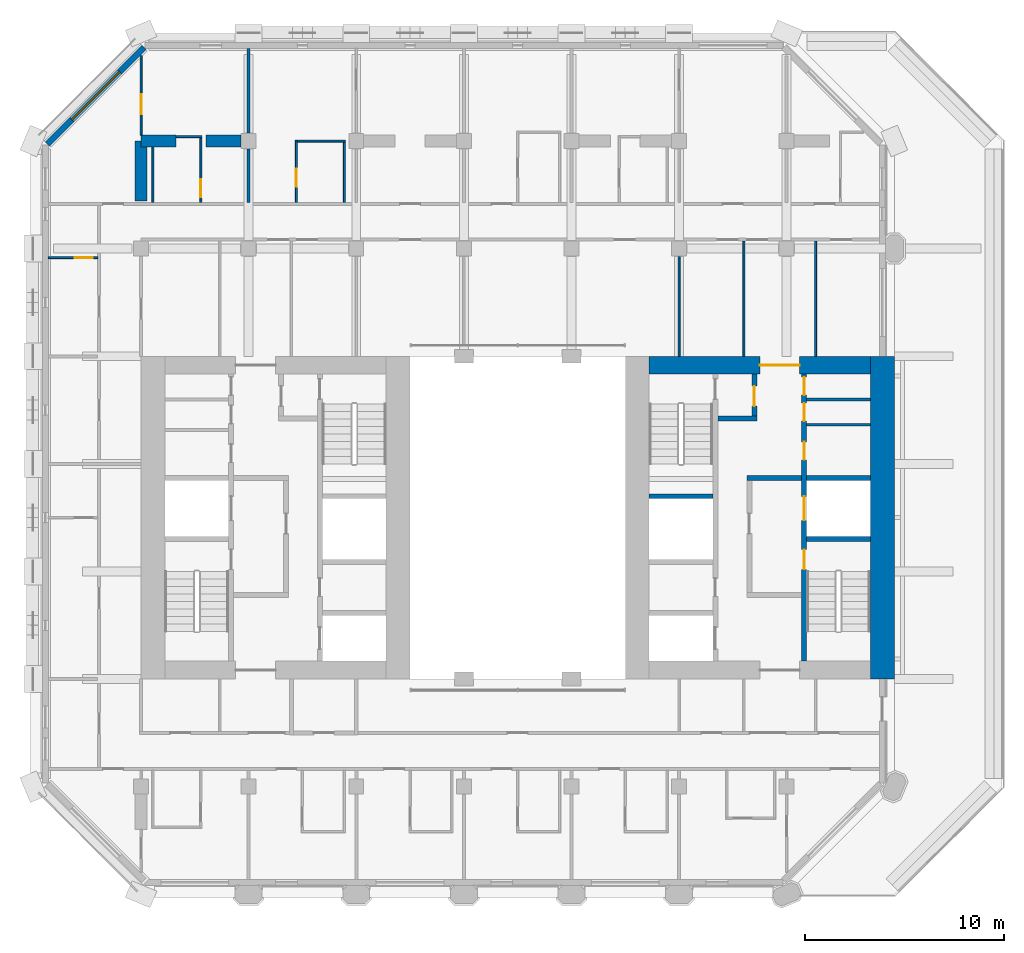
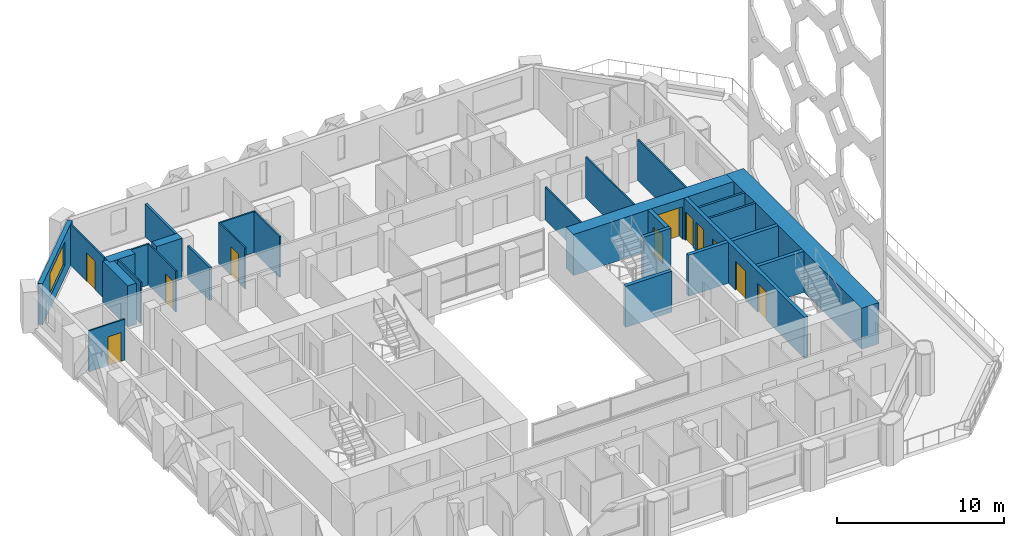
# One storey, part 10 of 15: 28 walls, 11 doors, 1 window, 12 openings.
"""IFC4 building model written with IfcOpenShell, lengths in metres."""

from ifc_helpers import new_model, si_unit, direction, frame, frame_2d, origin, place, context, subcontext, project, spatial, rectangle, extrude, material, layer, layer_set, type_object, element, fill, save


model = new_model("IFC4")

# Units and contexts
model_context = context("Model", 3, precision=1e-05, world=origin(), true_north=direction((0.0, 1.0)))
body_context = subcontext(model_context, "Body", "Model", "MODEL_VIEW")
ifc_project = project(units=[si_unit("LENGTHUNIT", "METRE"), si_unit("AREAUNIT", "SQUARE_METRE"), si_unit("VOLUMEUNIT", "CUBIC_METRE"), si_unit("PLANEANGLEUNIT", "RADIAN"), si_unit("MASSUNIT", "GRAM", prefix="KILO")], contexts=[model_context])

# Site, building, storey
site_placement = place(None, origin())
site = spatial("IfcSite", under=ifc_project, at=site_placement, CompositionType="ELEMENT")
building_placement = place(site_placement, origin())
building = spatial("IfcBuilding", under=site, at=building_placement, Name="Tabaq Tower and Sports Hall", CompositionType="ELEMENT")
storey_placement = place(building_placement, frame((0.0, 0.0, 207.10009765625)))
storey = spatial("IfcBuildingStorey", under=building, at=storey_placement, Name="L51", CompositionType="ELEMENT", Elevation=207.10009765625)

# Walls
ifc_material_1 = material(Name="Blockwork", Category="masonry")
ifc_layer_1 = layer(ifc_material_1, 0.14990234375)
ifc_layer_set_1 = layer_set([ifc_layer_1], Name="Core room partition 150 Blockwork")
wall_type_1 = type_object("IfcWallType", Name="Core room partition 150 Blockwork", PredefinedType="PARTITIONING", material=ifc_layer_set_1)
for number, where, z_axis, x_axis, name in (
    (1, (38.800048828125, 28.962890625, 0.0), (0.0, 0.0, 1.0), (1.0, 0.0, 0.0), "Core room partition E L51"),
    (2, (38.800048828125, 30.23193359375, 0.0), (0.0, 0.0, 1.0), (1.0, 0.0, 0.0), "Core room partition E L51"),
):
    element("IfcWall", number, at=place(storey_placement, frame(where, z_axis=z_axis, x_axis=x_axis)), inside=storey, type_object=wall_type_1, Name=name, PredefinedType="PARTITIONING", context=body_context, shape_type="SweptSolid", body=[
        extrude(rectangle(XDim=3.199951171875, YDim=0.14990234375, at=frame_2d((1.60009765625, 0.0))), origin(), (0.0, 0.0, 1.0), 3.0),
    ])
ifc_material_2 = material(Name="Concrete C50/60", Category="concrete")
ifc_layer_2 = layer(ifc_material_2, 1.199951171875)
ifc_layer_set_2 = layer_set([ifc_layer_2], Name="Core wall 1200 Concrete C50/60")
wall_type_2 = type_object("IfcWallType", Name="Core wall 1200 Concrete C50/60", PredefinedType="SOLIDWALL", material=ifc_layer_set_2)
wall_1_placement = place(storey_placement, frame((42.60009765625, 32.39990234375, 0.0), z_axis=(0.0, 0.0, 1.0), x_axis=(0.0, -1.0, 0.0)))
element("IfcWall", 3, at=wall_1_placement, inside=storey, type_object=wall_type_2, Name="Core wall E L51", PredefinedType="SOLIDWALL", context=body_context, shape_type="SweptSolid", body=[
    extrude(rectangle(XDim=16.199951171875, YDim=1.199951171875, at=frame_2d((8.10009765625, 0.0))), origin(), (0.0, 0.0, 1.0), 3.0),
])

# Wall, opening, door
ifc_material_3 = material(Name="Concrete C50/60", Category="concrete")
ifc_layer_3 = layer(ifc_material_3, 0.89990234375)
ifc_layer_set_3 = layer_set([ifc_layer_3], Name="Core wall 900 Concrete C50/60")
wall_type_3 = type_object("IfcWallType", Name="Core wall 900 Concrete C50/60", PredefinedType="SOLIDWALL", material=ifc_layer_set_3)
wall_2_placement = place(storey_placement, frame((30.89990234375, 31.949951171875, 0.0), z_axis=(0.0, 0.0, 1.0), x_axis=(1.0, 0.0, 0.0)))
wall_2 = element("IfcWall", 4, at=wall_2_placement, inside=storey, type_object=wall_type_3, Name="Core wall E L51", PredefinedType="SOLIDWALL", context=body_context, shape_type="SweptSolid", body=[
    extrude(rectangle(XDim=11.10009765625, YDim=0.89990234375, at=frame_2d((5.550048828125, 0.0))), origin(), (0.0, 0.0, 1.0), 3.0),
])
opening_1_placement = place(wall_2_placement, frame((5.550048828125, 0.0, 0.0)))
opening_1 = element("IfcOpeningElement", 5, at=opening_1_placement, cuts=wall_2, Name="Opening PD-EL51-02", PredefinedType="OPENING", context=body_context, shape_type="SweptSolid", body=[
    extrude(rectangle(XDim=2.0, YDim=2.39990234375, at=frame_2d((1.0, 1.199951171875))), frame((0.0, 0.449951171875, 0.0), z_axis=(0.0, -1.0, 0.0), x_axis=(1.0, 0.0, 0.0)), (0.0, 0.0, 1.0), 0.89990234375),
])
ifc_material_4 = material(Name="Steel fire door", Category="steel")
door_type_1 = type_object("IfcDoorType", Name="Core entrance door 2000", OperationType="DOUBLE_DOOR_SINGLE_SWING", PredefinedType="DOOR", material=ifc_material_4)
door_1_placement = place(opening_1_placement, origin())
door_1 = element("IfcDoor", 6, at=door_1_placement, inside=storey, type_object=door_type_1, Name="Core entrance north E L51", OperationType="DOUBLE_DOOR_SINGLE_SWING", OverallHeight=2.39990234375, OverallWidth=2.0, PredefinedType="DOOR", context=body_context, shape_type="SweptSolid", body=[
    extrude(rectangle(XDim=2.0, YDim=2.39990234375, at=frame_2d((1.0, 1.199951171875))), frame((0.0, 0.02490234375, 0.0), z_axis=(0.0, -1.0, 0.0), x_axis=(1.0, 0.0, 0.0)), (0.0, 0.0, 1.0), 0.050048828125),
])
fill(opening_1, door_1)

ifc_material_5 = material(Name="Gypsum board on steel studs", Category="steel")
ifc_layer_4 = layer(ifc_material_5, 0.10009765625)
ifc_layer_set_4 = layer_set([ifc_layer_4], Name="Partition 100 Gypsum board")
wall_type_4 = type_object("IfcWallType", Name="Partition 100 Gypsum board", PredefinedType="PARTITIONING", material=ifc_layer_set_4)
wall_3_placement = place(storey_placement, frame((3.22509765625, 37.35009765625, 0.0), z_axis=(0.0, 0.0, 1.0), x_axis=(-1.0, 0.0, 0.0)))
wall_3 = element("IfcWall", 7, at=wall_3_placement, inside=storey, type_object=wall_type_4, Name="Partition wall L51", PredefinedType="PARTITIONING", context=body_context, shape_type="SweptSolid", body=[
    extrude(rectangle(XDim=2.47412109375, YDim=0.10009765625, at=frame_2d((1.237060546875, 0.0))), origin(), (0.0, 0.0, 1.0), 3.0),
])
opening_2_placement = place(wall_3_placement, frame((0.25, 0.0, 0.0)))
opening_2 = element("IfcOpeningElement", 8, at=opening_2_placement, cuts=wall_3, Name="Opening L51-001", PredefinedType="OPENING", context=body_context, shape_type="SweptSolid", body=[
    extrude(rectangle(XDim=0.89990234375, YDim=2.10009765625, at=frame_2d((0.449951171875, 1.050048828125))), frame((0.0, 0.050048828125, 0.0), z_axis=(0.0, -1.0, 0.0), x_axis=(1.0, 0.0, 0.0)), (0.0, 0.0, 1.0), 0.10009765625),
])
ifc_material_6 = material(Name="Timber leaf in steel frame", Category="steel")
door_type_2 = type_object("IfcDoorType", Name="Internal door 900 left hand", OperationType="SINGLE_SWING_LEFT", PredefinedType="DOOR", material=ifc_material_6)
door_2_placement = place(opening_2_placement, origin())
door_2 = element("IfcDoor", 9, at=door_2_placement, inside=storey, type_object=door_type_2, Name="Internal door L51-001", OperationType="SINGLE_SWING_LEFT", OverallHeight=2.10009765625, OverallWidth=0.89990234375, PredefinedType="DOOR", context=body_context, shape_type="SweptSolid", body=[
    extrude(rectangle(XDim=0.89990234375, YDim=2.10009765625, at=frame_2d((0.449951171875, 1.050048828125))), frame((0.0, 0.02490234375, 0.0), z_axis=(0.0, -1.0, 0.0), x_axis=(1.0, 0.0, 0.0)), (0.0, 0.0, 1.0), 0.050048828125),
])
fill(opening_2, door_2)

wall_4_placement = place(storey_placement, frame((13.199951171875, 40.125, 0.0), z_axis=(0.0, 0.0, 1.0), x_axis=(0.0, 1.0, 0.0)))
wall_4 = element("IfcWall", 10, at=wall_4_placement, inside=storey, type_object=wall_type_4, Name="Partition wall L51", PredefinedType="PARTITIONING", context=body_context, shape_type="SweptSolid", body=[
    extrude(rectangle(XDim=3.125, YDim=0.10009765625, at=frame_2d((1.5625, 0.0))), origin(), (0.0, 0.0, 1.0), 3.0),
])
opening_3_placement = place(wall_4_placement, frame((0.77490234375, 0.0, 0.0)))
opening_3 = element("IfcOpeningElement", 11, at=opening_3_placement, cuts=wall_4, Name="Opening L51-005", PredefinedType="OPENING", context=body_context, shape_type="SweptSolid", body=[
    extrude(rectangle(XDim=0.89990234375, YDim=2.10009765625, at=frame_2d((0.449951171875, 1.050048828125))), frame((0.0, 0.050048828125, 0.0), z_axis=(0.0, -1.0, 0.0), x_axis=(1.0, 0.0, 0.0)), (0.0, 0.0, 1.0), 0.10009765625),
])
door_3_placement = place(opening_3_placement, origin())
door_3 = element("IfcDoor", 12, at=door_3_placement, inside=storey, type_object=door_type_2, Name="Internal door L51-005", OperationType="SINGLE_SWING_LEFT", OverallHeight=2.10009765625, OverallWidth=0.89990234375, PredefinedType="DOOR", context=body_context, shape_type="SweptSolid", body=[
    extrude(rectangle(XDim=0.89990234375, YDim=2.10009765625, at=frame_2d((0.449951171875, 1.050048828125))), frame((0.0, 0.02490234375, 0.0), z_axis=(0.0, -1.0, 0.0), x_axis=(1.0, 0.0, 0.0)), (0.0, 0.0, 1.0), 0.050048828125),
])
fill(opening_3, door_3)

# Walls
wall_5_placement = place(storey_placement, frame((13.25, 43.199951171875, 0.0), z_axis=(0.0, 0.0, 1.0), x_axis=(1.0, 0.0, 0.0)))
element("IfcWall", 13, at=wall_5_placement, inside=storey, type_object=wall_type_4, Name="Partition wall L51", PredefinedType="PARTITIONING", context=body_context, shape_type="SweptSolid", body=[
    extrude(rectangle(XDim=2.39990234375, YDim=0.10009765625, at=frame_2d((1.199951171875, 0.0))), origin(), (0.0, 0.0, 1.0), 3.0),
])
wall_6_placement = place(storey_placement, frame((15.60009765625, 43.14990234375, 0.0), z_axis=(0.0, 0.0, 1.0), x_axis=(0.0, -1.0, 0.0)))
element("IfcWall", 14, at=wall_6_placement, inside=storey, type_object=wall_type_4, Name="Partition wall L51", PredefinedType="PARTITIONING", context=body_context, shape_type="SweptSolid", body=[
    extrude(rectangle(XDim=3.02490234375, YDim=0.10009765625, at=frame_2d((1.512451171875, 0.0))), origin(), (0.0, 0.0, 1.0), 3.0),
])

# Wall, opening, door
wall_7_placement = place(storey_placement, frame((5.39990234375, 47.48779296875, 0.0), z_axis=(0.0, 0.0, 1.0), x_axis=(0.0, -1.0, 0.0)))
wall_7 = element("IfcWall", 15, at=wall_7_placement, inside=storey, type_object=wall_type_4, Name="Partition wall L51", PredefinedType="PARTITIONING", context=body_context, shape_type="SweptSolid", body=[
    extrude(rectangle(XDim=3.98681640625, YDim=0.10009765625, at=frame_2d((1.993408203125, 0.0))), origin(), (0.0, 0.0, 1.0), 3.0),
])
opening_4_placement = place(wall_7_placement, frame((1.9453125, 0.0, 0.0)))
opening_4 = element("IfcOpeningElement", 16, at=opening_4_placement, cuts=wall_7, Name="Opening L51-034", PredefinedType="OPENING", context=body_context, shape_type="SweptSolid", body=[
    extrude(rectangle(XDim=1.0, YDim=2.10009765625, at=frame_2d((0.5, 1.050048828125))), frame((0.0, 0.050048828125, 0.0), z_axis=(0.0, -1.0, 0.0), x_axis=(1.0, 0.0, 0.0)), (0.0, 0.0, 1.0), 0.10009765625),
])
ifc_material_7 = material(Name="Timber leaf in steel frame", Category="steel")
door_type_3 = type_object("IfcDoorType", Name="Internal door 1000 right hand", OperationType="SINGLE_SWING_RIGHT", PredefinedType="DOOR", material=ifc_material_7)
door_4_placement = place(opening_4_placement, origin())
door_4 = element("IfcDoor", 17, at=door_4_placement, inside=storey, type_object=door_type_3, Name="Internal door L51-034", OperationType="SINGLE_SWING_RIGHT", OverallHeight=2.10009765625, OverallWidth=1.0, PredefinedType="DOOR", context=body_context, shape_type="SweptSolid", body=[
    extrude(rectangle(XDim=1.0, YDim=2.10009765625, at=frame_2d((0.5, 1.050048828125))), frame((0.0, 0.02490234375, 0.0), z_axis=(0.0, -1.0, 0.0), x_axis=(1.0, 0.0, 0.0)), (0.0, 0.0, 1.0), 0.050048828125),
])
fill(opening_4, door_4)

# Walls
wall_8_placement = place(storey_placement, frame((6.0, 40.125, 0.0), z_axis=(0.0, 0.0, 1.0), x_axis=(0.0, 1.0, 0.0)))
element("IfcWall", 18, at=wall_8_placement, inside=storey, type_object=wall_type_4, Name="Partition wall L51", PredefinedType="PARTITIONING", context=body_context, shape_type="SweptSolid", body=[
    extrude(rectangle(XDim=2.77392578125, YDim=0.10009765625, at=frame_2d((1.386962890625, 0.0))), origin(), (0.0, 0.0, 1.0), 3.0),
])
wall_9_placement = place(storey_placement, frame((7.16259765625, 43.425048828125, 0.0), z_axis=(0.0, 0.0, 1.0), x_axis=(1.0, 0.0, 0.0)))
element("IfcWall", 19, at=wall_9_placement, inside=storey, type_object=wall_type_4, Name="Partition wall L51", PredefinedType="PARTITIONING", context=body_context, shape_type="SweptSolid", body=[
    extrude(rectangle(XDim=1.287353515625, YDim=0.10009765625, at=frame_2d((0.6435546875, 0.0))), origin(), (0.0, 0.0, 1.0), 3.0),
])

# Wall, opening, door
wall_10_placement = place(storey_placement, frame((8.39990234375, 43.375, 0.0), z_axis=(0.0, 0.0, 1.0), x_axis=(0.0, -1.0, 0.0)))
wall_10 = element("IfcWall", 20, at=wall_10_placement, inside=storey, type_object=wall_type_4, Name="Partition wall L51", PredefinedType="PARTITIONING", context=body_context, shape_type="SweptSolid", body=[
    extrude(rectangle(XDim=3.25, YDim=0.10009765625, at=frame_2d((1.625, 0.0))), origin(), (0.0, 0.0, 1.0), 3.0),
])
opening_5_placement = place(wall_10_placement, frame((2.10009765625, 0.0, 0.0)))
opening_5 = element("IfcOpeningElement", 21, at=opening_5_placement, cuts=wall_10, Name="Opening L51-006", PredefinedType="OPENING", context=body_context, shape_type="SweptSolid", body=[
    extrude(rectangle(XDim=0.89990234375, YDim=2.10009765625, at=frame_2d((0.449951171875, 1.050048828125))), frame((0.0, 0.050048828125, 0.0), z_axis=(0.0, -1.0, 0.0), x_axis=(1.0, 0.0, 0.0)), (0.0, 0.0, 1.0), 0.10009765625),
])
ifc_material_8 = material(Name="Timber leaf in steel frame", Category="steel")
door_type_4 = type_object("IfcDoorType", Name="Internal door 900 right hand", OperationType="SINGLE_SWING_RIGHT", PredefinedType="DOOR", material=ifc_material_8)
door_5_placement = place(opening_5_placement, origin())
door_5 = element("IfcDoor", 22, at=door_5_placement, inside=storey, type_object=door_type_4, Name="Internal door L51-006", OperationType="SINGLE_SWING_RIGHT", OverallHeight=2.10009765625, OverallWidth=0.89990234375, PredefinedType="DOOR", context=body_context, shape_type="SweptSolid", body=[
    extrude(rectangle(XDim=0.89990234375, YDim=2.10009765625, at=frame_2d((0.449951171875, 1.050048828125))), frame((0.0, 0.02490234375, 0.0), z_axis=(0.0, -1.0, 0.0), x_axis=(1.0, 0.0, 0.0)), (0.0, 0.0, 1.0), 0.050048828125),
])
fill(opening_5, door_5)

# Walls
wall_11_placement = place(storey_placement, frame((32.39990234375, 32.39990234375, 0.0), z_axis=(0.0, 0.0, 1.0), x_axis=(0.0, 1.0, 0.0)))
element("IfcWall", 23, at=wall_11_placement, inside=storey, type_object=wall_type_4, Name="Partition wall L51", PredefinedType="PARTITIONING", context=body_context, shape_type="SweptSolid", body=[
    extrude(rectangle(XDim=5.005126953125, YDim=0.10009765625, at=frame_2d((2.50244140625, 0.0))), origin(), (0.0, 0.0, 1.0), 2.39990234375),
])
for number, where, z_axis, x_axis, name in (
    (24, (39.25, 32.39990234375, 0.0), (0.0, 0.0, 1.0), (0.0, 1.0, 0.0), "Partition wall L51"),
    (25, (35.64990234375, 38.175048828125, 0.0), (0.0, 0.0, 1.0), (0.0, -1.0, 0.0), "Partition wall L51"),
):
    element("IfcWall", number, at=place(storey_placement, frame(where, z_axis=z_axis, x_axis=x_axis)), inside=storey, type_object=wall_type_4, Name=name, PredefinedType="PARTITIONING", context=body_context, shape_type="SweptSolid", body=[
        extrude(rectangle(XDim=5.775146484375, YDim=0.10009765625, at=frame_2d((2.8876953125, 0.0))), origin(), (0.0, 0.0, 1.0), 3.0),
    ])
ifc_material_9 = material(Name="Concrete C50/60", Category="concrete")
ifc_layer_5 = layer(ifc_material_9, 0.60009765625)
ifc_layer_set_5 = layer_set([ifc_layer_5], Name="RC TRANSFER WALL 600 C50/60")
wall_type_5 = type_object("IfcWallType", Name="RC TRANSFER WALL 600 C50/60", PredefinedType="SHEAR", material=ifc_layer_set_5)
wall_12_placement = place(storey_placement, frame((5.39990234375, 40.199951171875, 0.0), z_axis=(0.0, 0.0, 1.0), x_axis=(0.0, 1.0, 0.0)))
element("IfcWall", 26, at=wall_12_placement, inside=storey, type_object=wall_type_5, Name="Transfer Wall L51 West 3", PredefinedType="SHEAR", context=body_context, shape_type="SweptSolid", body=[
    extrude(rectangle(XDim=3.0, YDim=0.60009765625, at=frame_2d((1.5, 0.0))), origin(), (0.0, 0.0, 1.0), 3.0),
])
wall_13_placement = place(storey_placement, frame((5.39990234375, 43.199951171875, 0.0), z_axis=(0.0, 0.0, 1.0), x_axis=(1.0, 0.0, 0.0)))
element("IfcWall", 27, at=wall_13_placement, inside=storey, type_object=wall_type_5, Name="Transfer Wall L51 North 4", PredefinedType="SHEAR", context=body_context, shape_type="SweptSolid", body=[
    extrude(rectangle(XDim=1.7626953125, YDim=0.60009765625, at=frame_2d((0.88134765625, 0.0))), origin(), (0.0, 0.0, 1.0), 3.0),
])
wall_14_placement = place(storey_placement, frame((8.66259765625, 43.199951171875, 0.0), z_axis=(0.0, 0.0, 1.0), x_axis=(1.0, 0.0, 0.0)))
element("IfcWall", 28, at=wall_14_placement, inside=storey, type_object=wall_type_5, Name="Transfer Wall L51 North 5", PredefinedType="SHEAR", context=body_context, shape_type="SweptSolid", body=[
    extrude(rectangle(XDim=1.762451171875, YDim=0.60009765625, at=frame_2d((0.88134765625, 0.0))), origin(), (0.0, 0.0, 1.0), 3.0),
])
ifc_material_10 = material(Name="Blockwork", Category="masonry")
ifc_layer_6 = layer(ifc_material_10, 0.14990234375)
ifc_layer_set_6 = layer_set([ifc_layer_6], Name="Separating wall 150 Blockwork")
wall_type_6 = type_object("IfcWallType", Name="Separating wall 150 Blockwork", PredefinedType="PARTITIONING", material=ifc_layer_set_6)
wall_15_placement = place(storey_placement, frame((10.800048828125, 47.84912109375, 0.0), z_axis=(0.0, 0.0, 1.0), x_axis=(0.0, -1.0, 0.0)))
element("IfcWall", 29, at=wall_15_placement, inside=storey, type_object=wall_type_6, Name="Separating wall L51", PredefinedType="PARTITIONING", context=body_context, shape_type="SweptSolid", body=[
    extrude(rectangle(XDim=4.254150390625, YDim=0.14990234375, at=frame_2d((2.126953125, 0.0))), origin(), (0.0, 0.0, 1.0), 2.39990234375),
])
wall_16_placement = place(storey_placement, frame((10.800048828125, 42.804931640625, 0.0), z_axis=(0.0, 0.0, 1.0), x_axis=(0.0, -1.0, 0.0)))
element("IfcWall", 30, at=wall_16_placement, inside=storey, type_object=wall_type_6, Name="Separating wall L51", PredefinedType="PARTITIONING", context=body_context, shape_type="SweptSolid", body=[
    extrude(rectangle(XDim=2.679931640625, YDim=0.14990234375, at=frame_2d((1.33984375, 0.0))), origin(), (0.0, 0.0, 1.0), 2.39990234375),
])

# Wall, openings, doors
ifc_material_11 = material(Name="Concrete C40/50", Category="concrete")
ifc_layer_7 = layer(ifc_material_11, 0.25)
ifc_layer_set_7 = layer_set([ifc_layer_7], Name="Shaft and stair wall 250 Concrete C40/50")
wall_type_7 = type_object("IfcWallType", Name="Shaft and stair wall 250 Concrete C40/50", PredefinedType="SOLIDWALL", material=ifc_layer_set_7)
wall_17_placement = place(storey_placement, frame((38.675048828125, 17.10009765625, 0.0), z_axis=(0.0, 0.0, 1.0), x_axis=(0.0, 1.0, 0.0)))
wall_17 = element("IfcWall", 31, at=wall_17_placement, inside=storey, type_object=wall_type_7, Name="Shaft wall E L51", PredefinedType="SOLIDWALL", context=body_context, shape_type="SweptSolid", body=[
    extrude(rectangle(XDim=14.39990234375, YDim=0.25, at=frame_2d((7.199951171875, 0.0))), origin(), (0.0, 0.0, 1.0), 3.0),
])
opening_6_placement = place(wall_17_placement, frame((4.60009765625, 0.0, 0.0)))
opening_6 = element("IfcOpeningElement", 32, at=opening_6_placement, cuts=wall_17, Name="Opening SD-EL51-03", PredefinedType="OPENING", context=body_context, shape_type="SweptSolid", body=[
    extrude(rectangle(XDim=1.0, YDim=2.10009765625, at=frame_2d((0.5, 1.050048828125))), frame((0.0, 0.125, 0.0), z_axis=(0.0, -1.0, 0.0), x_axis=(1.0, 0.0, 0.0)), (0.0, 0.0, 1.0), 0.25),
])
opening_7_placement = place(wall_17_placement, frame((7.0625, 0.0, 0.0)))
opening_7 = element("IfcOpeningElement", 33, at=opening_7_placement, cuts=wall_17, Name="Opening LD-FF2-L51", PredefinedType="OPENING", context=body_context, shape_type="SweptSolid", body=[
    extrude(rectangle(XDim=1.199951171875, YDim=2.10009765625, at=frame_2d((0.60009765625, 1.050048828125))), frame((0.0, 0.125, 0.0), z_axis=(0.0, -1.0, 0.0), x_axis=(1.0, 0.0, 0.0)), (0.0, 0.0, 1.0), 0.25),
])
opening_8_placement = place(wall_17_placement, frame((10.1064453125, 0.0, 0.0)))
opening_8 = element("IfcOpeningElement", 34, at=opening_8_placement, cuts=wall_17, Name="Opening RD-EL51-09", PredefinedType="OPENING", context=body_context, shape_type="SweptSolid", body=[
    extrude(rectangle(XDim=0.89990234375, YDim=2.10009765625, at=frame_2d((0.449951171875, 1.050048828125))), frame((0.0, 0.125, 0.0), z_axis=(0.0, -1.0, 0.0), x_axis=(1.0, 0.0, 0.0)), (0.0, 0.0, 1.0), 0.25),
])
opening_9_placement = place(wall_17_placement, frame((12.047607421875, 0.0, 0.0)))
opening_9 = element("IfcOpeningElement", 35, at=opening_9_placement, cuts=wall_17, Name="Opening RD-EL51-10", PredefinedType="OPENING", context=body_context, shape_type="SweptSolid", body=[
    extrude(rectangle(XDim=0.89990234375, YDim=2.10009765625, at=frame_2d((0.449951171875, 1.050048828125))), frame((0.0, 0.125, 0.0), z_axis=(0.0, -1.0, 0.0), x_axis=(1.0, 0.0, 0.0)), (0.0, 0.0, 1.0), 0.25),
])
opening_10_placement = place(wall_17_placement, frame((13.353515625, 0.0, 0.0)))
opening_10 = element("IfcOpeningElement", 36, at=opening_10_placement, cuts=wall_17, Name="Opening RD-EL51-11", PredefinedType="OPENING", context=body_context, shape_type="SweptSolid", body=[
    extrude(rectangle(XDim=0.89990234375, YDim=2.10009765625, at=frame_2d((0.449951171875, 1.050048828125))), frame((0.0, 0.125, 0.0), z_axis=(0.0, -1.0, 0.0), x_axis=(1.0, 0.0, 0.0)), (0.0, 0.0, 1.0), 0.25),
])
ifc_material_12 = material(Name="Steel fire door", Category="steel")
door_type_5 = type_object("IfcDoorType", Name="Core room door 900", OperationType="SINGLE_SWING_LEFT", PredefinedType="DOOR", material=ifc_material_12)
door_6_placement = place(opening_8_placement, origin())
door_6 = element("IfcDoor", 37, at=door_6_placement, inside=storey, type_object=door_type_5, Name="Door Unisex WC E L51", OperationType="SINGLE_SWING_LEFT", OverallHeight=2.10009765625, OverallWidth=0.89990234375, PredefinedType="DOOR", context=body_context, shape_type="SweptSolid", body=[
    extrude(rectangle(XDim=0.89990234375, YDim=2.10009765625, at=frame_2d((0.449951171875, 1.050048828125))), frame((0.0, 0.02490234375, 0.0), z_axis=(0.0, -1.0, 0.0), x_axis=(1.0, 0.0, 0.0)), (0.0, 0.0, 1.0), 0.050048828125),
])
fill(opening_8, door_6)
door_7_placement = place(opening_9_placement, origin())
door_7 = element("IfcDoor", 38, at=door_7_placement, inside=storey, type_object=door_type_5, Name="Door Cleaner's Store E L51", OperationType="SINGLE_SWING_LEFT", OverallHeight=2.10009765625, OverallWidth=0.89990234375, PredefinedType="DOOR", context=body_context, shape_type="SweptSolid", body=[
    extrude(rectangle(XDim=0.89990234375, YDim=2.10009765625, at=frame_2d((0.449951171875, 1.050048828125))), frame((0.0, 0.02490234375, 0.0), z_axis=(0.0, -1.0, 0.0), x_axis=(1.0, 0.0, 0.0)), (0.0, 0.0, 1.0), 0.050048828125),
])
fill(opening_9, door_7)
door_8_placement = place(opening_10_placement, origin())
door_8 = element("IfcDoor", 39, at=door_8_placement, inside=storey, type_object=door_type_5, Name="Door Accessible WC E L51", OperationType="SINGLE_SWING_LEFT", OverallHeight=2.10009765625, OverallWidth=0.89990234375, PredefinedType="DOOR", context=body_context, shape_type="SweptSolid", body=[
    extrude(rectangle(XDim=0.89990234375, YDim=2.10009765625, at=frame_2d((0.449951171875, 1.050048828125))), frame((0.0, 0.02490234375, 0.0), z_axis=(0.0, -1.0, 0.0), x_axis=(1.0, 0.0, 0.0)), (0.0, 0.0, 1.0), 0.050048828125),
])
fill(opening_10, door_8)
ifc_material_13 = material(Name="Stainless steel", Category="steel")
door_type_6 = type_object("IfcDoorType", Name="Lift landing door 1200", OperationType="DOUBLE_DOOR_SLIDING", PredefinedType="DOOR", material=ifc_material_13)
door_9_placement = place(opening_7_placement, origin())
door_9 = element("IfcDoor", 40, at=door_9_placement, inside=storey, type_object=door_type_6, Name="Lift landing door FF2 E L51", OperationType="DOUBLE_DOOR_SLIDING", OverallHeight=2.10009765625, OverallWidth=1.199951171875, PredefinedType="DOOR", context=body_context, shape_type="SweptSolid", body=[
    extrude(rectangle(XDim=1.199951171875, YDim=2.10009765625, at=frame_2d((0.60009765625, 1.050048828125))), frame((0.0, 0.02490234375, 0.0), z_axis=(0.0, -1.0, 0.0), x_axis=(1.0, 0.0, 0.0)), (0.0, 0.0, 1.0), 0.050048828125),
])
fill(opening_7, door_9)
ifc_material_14 = material(Name="Steel fire door", Category="steel")
door_type_7 = type_object("IfcDoorType", Name="Stair door 1000", OperationType="SINGLE_SWING_LEFT", PredefinedType="DOOR", material=ifc_material_14)
door_10_placement = place(opening_6_placement, origin())
door_10 = element("IfcDoor", 41, at=door_10_placement, inside=storey, type_object=door_type_7, Name="Stair door ST3 E L51", OperationType="SINGLE_SWING_LEFT", OverallHeight=2.10009765625, OverallWidth=1.0, PredefinedType="DOOR", context=body_context, shape_type="SweptSolid", body=[
    extrude(rectangle(XDim=1.0, YDim=2.10009765625, at=frame_2d((0.5, 1.050048828125))), frame((0.0, 0.02490234375, 0.0), z_axis=(0.0, -1.0, 0.0), x_axis=(1.0, 0.0, 0.0)), (0.0, 0.0, 1.0), 0.050048828125),
])
fill(opening_6, door_10)

# Walls
wall_18_placement = place(storey_placement, frame((38.800048828125, 23.22509765625, 0.0), z_axis=(0.0, 0.0, 1.0), x_axis=(1.0, 0.0, 0.0)))
element("IfcWall", 42, at=wall_18_placement, inside=storey, type_object=wall_type_7, Name="Stair enclosure wall E L51", PredefinedType="SOLIDWALL", context=body_context, shape_type="SweptSolid", body=[
    extrude(rectangle(XDim=3.199951171875, YDim=0.25, at=frame_2d((1.60009765625, 0.0))), origin(), (0.0, 0.0, 1.0), 3.0),
])
wall_19_placement = place(storey_placement, frame((30.89990234375, 25.375, 0.0), z_axis=(0.0, 0.0, 1.0), x_axis=(1.0, 0.0, 0.0)))
element("IfcWall", 43, at=wall_19_placement, inside=storey, type_object=wall_type_7, Name="Stair enclosure wall E L51", PredefinedType="SOLIDWALL", context=body_context, shape_type="SweptSolid", body=[
    extrude(rectangle(XDim=3.2001953125, YDim=0.25, at=frame_2d((1.60009765625, 0.0))), origin(), (0.0, 0.0, 1.0), 3.0),
])
wall_20_placement = place(storey_placement, frame((38.800048828125, 26.300048828125, 0.0), z_axis=(0.0, 0.0, 1.0), x_axis=(1.0, 0.0, 0.0)))
element("IfcWall", 44, at=wall_20_placement, inside=storey, type_object=wall_type_7, Name="Shaft wall E L51", PredefinedType="SOLIDWALL", context=body_context, shape_type="SweptSolid", body=[
    extrude(rectangle(XDim=3.199951171875, YDim=0.25, at=frame_2d((1.60009765625, 0.0))), origin(), (0.0, 0.0, 1.0), 3.0),
])
wall_21_placement = place(storey_placement, frame((35.800048828125, 26.300048828125, 0.0), z_axis=(0.0, 0.0, 1.0), x_axis=(1.0, 0.0, 0.0)))
element("IfcWall", 45, at=wall_21_placement, inside=storey, type_object=wall_type_7, Name="Fire-fighting lobby wall E L51", PredefinedType="SOLIDWALL", context=body_context, shape_type="SweptSolid", body=[
    extrude(rectangle(XDim=2.75, YDim=0.25, at=frame_2d((1.375, 0.0))), origin(), (0.0, 0.0, 1.0), 3.0),
])

# Wall, opening, door
wall_22_placement = place(storey_placement, frame((36.175048828125, 29.39990234375, 0.0), z_axis=(0.0, 0.0, 1.0), x_axis=(0.0, 1.0, 0.0)))
wall_22 = element("IfcWall", 46, at=wall_22_placement, inside=storey, type_object=wall_type_7, Name="Fire-fighting lobby wall E L51", PredefinedType="SOLIDWALL", context=body_context, shape_type="SweptSolid", body=[
    extrude(rectangle(XDim=2.10009765625, YDim=0.25, at=frame_2d((1.050048828125, 0.0))), origin(), (0.0, 0.0, 1.0), 3.0),
])
opening_11_placement = place(wall_22_placement, frame((0.5, 0.0, 0.0)))
opening_11 = element("IfcOpeningElement", 47, at=opening_11_placement, cuts=wall_22, Name="Opening FD-EL51-06", PredefinedType="OPENING", context=body_context, shape_type="SweptSolid", body=[
    extrude(rectangle(XDim=1.0, YDim=2.10009765625, at=frame_2d((0.5, 1.050048828125))), frame((0.0, 0.125, 0.0), z_axis=(0.0, -1.0, 0.0), x_axis=(1.0, 0.0, 0.0)), (0.0, 0.0, 1.0), 0.25),
])
ifc_material_15 = material(Name="Steel fire door", Category="steel")
door_type_8 = type_object("IfcDoorType", Name="Fire-fighting lobby door 1000", OperationType="SINGLE_SWING_LEFT", PredefinedType="DOOR", material=ifc_material_15)
door_11_placement = place(opening_11_placement, origin())
door_11 = element("IfcDoor", 48, at=door_11_placement, inside=storey, type_object=door_type_8, Name="Stair lobby door E L51", OperationType="SINGLE_SWING_LEFT", OverallHeight=2.10009765625, OverallWidth=1.0, PredefinedType="DOOR", context=body_context, shape_type="SweptSolid", body=[
    extrude(rectangle(XDim=1.0, YDim=2.10009765625, at=frame_2d((0.5, 1.050048828125))), frame((0.0, 0.02490234375, 0.0), z_axis=(0.0, -1.0, 0.0), x_axis=(1.0, 0.0, 0.0)), (0.0, 0.0, 1.0), 0.050048828125),
])
fill(opening_11, door_11)

# Wall
wall_23_placement = place(storey_placement, frame((34.35009765625, 29.27490234375, 0.0), z_axis=(0.0, 0.0, 1.0), x_axis=(1.0, 0.0, 0.0)))
element("IfcWall", 49, at=wall_23_placement, inside=storey, type_object=wall_type_7, Name="Fire-fighting lobby wall E L51", PredefinedType="SOLIDWALL", context=body_context, shape_type="SweptSolid", body=[
    extrude(rectangle(XDim=1.949951171875, YDim=0.25, at=frame_2d((0.97509765625, 0.0))), origin(), (0.0, 0.0, 1.0), 3.0),
])

# Wall, opening, window
ifc_material_16 = material(Name="White precast concrete C60/75", Category="concrete")
ifc_layer_8 = layer(ifc_material_16, 0.300048828125)
ifc_layer_set_8 = layer_set([ifc_layer_8], Name="White precast concrete C60/75 external wall 300")
wall_type_8 = type_object("IfcWallType", Name="White precast concrete C60/75 external wall 300", PredefinedType="SOLIDWALL", material=ifc_layer_set_8)
wall_24_placement = place(storey_placement, frame((5.549560546875, 47.901123046875, 0.0), z_axis=(0.0, 0.0, 1.0), x_axis=(-0.707106781187, -0.707106781187, 0.0)))
wall_24 = element("IfcWall", 50, at=wall_24_placement, inside=storey, type_object=wall_type_8, Name="External Wall L51 NW", PredefinedType="SOLIDWALL", context=body_context, shape_type="SweptSolid", body=[
    extrude(rectangle(XDim=6.85986328125, YDim=0.300048828125, at=frame_2d((3.429931640625, 0.0))), origin(), (0.0, 0.0, 1.0), 3.0),
])
opening_12_placement = place(wall_24_placement, frame((1.729736328125, 0.0, 0.89990234375)))
opening_12 = element("IfcOpeningElement", 51, at=opening_12_placement, cuts=wall_24, Name="Opening W1A", PredefinedType="OPENING", context=body_context, shape_type="SweptSolid", body=[
    extrude(rectangle(XDim=3.39990234375, YDim=1.699951171875, at=frame_2d((1.699951171875, 0.85009765625))), frame((0.0, 0.16015625, 0.0), z_axis=(0.0, -1.0, 0.0), x_axis=(1.0, 0.0, 0.0)), (0.0, 0.0, 1.0), 0.320068359375),
])
ifc_material_17 = material(Name="Aluminium framed clear glazing", Category="aluminium")
window_type = type_object("IfcWindowType", Name="Window W1A", PartitioningType="SINGLE_PANEL", PredefinedType="WINDOW", material=ifc_material_17)
window_placement = place(opening_12_placement, origin())
window = element("IfcWindow", 52, at=window_placement, inside=storey, type_object=window_type, Name="Window W1A L51", OverallHeight=1.699951171875, OverallWidth=3.39990234375, PartitioningType="SINGLE_PANEL", PredefinedType="WINDOW", context=body_context, shape_type="SweptSolid", body=[
    extrude(rectangle(XDim=3.39990234375, YDim=1.699951171875, at=frame_2d((1.699951171875, 0.85009765625))), frame((0.0, 0.030029296875, 0.0), z_axis=(0.0, -1.0, 0.0), x_axis=(1.0, 0.0, 0.0)), (0.0, 0.0, 1.0), 0.06005859375),
])
fill(opening_12, window)

save(model, "model.ifc")
